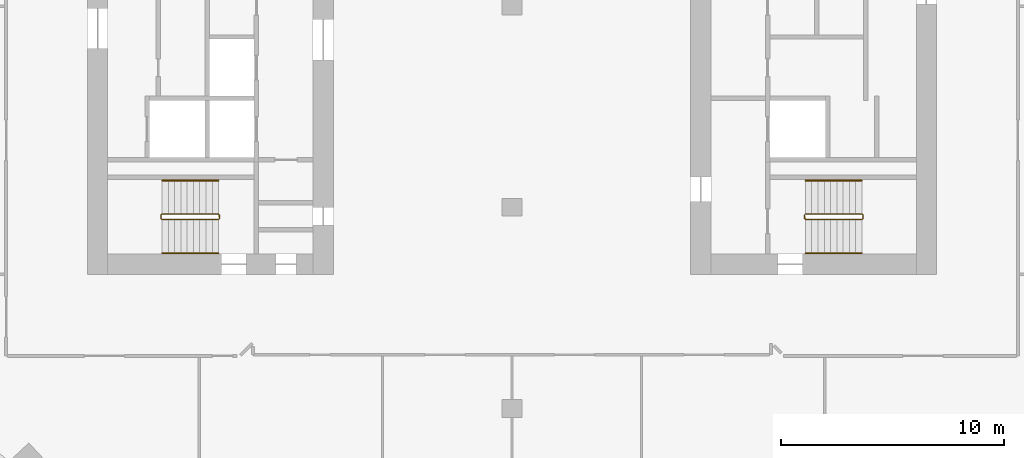
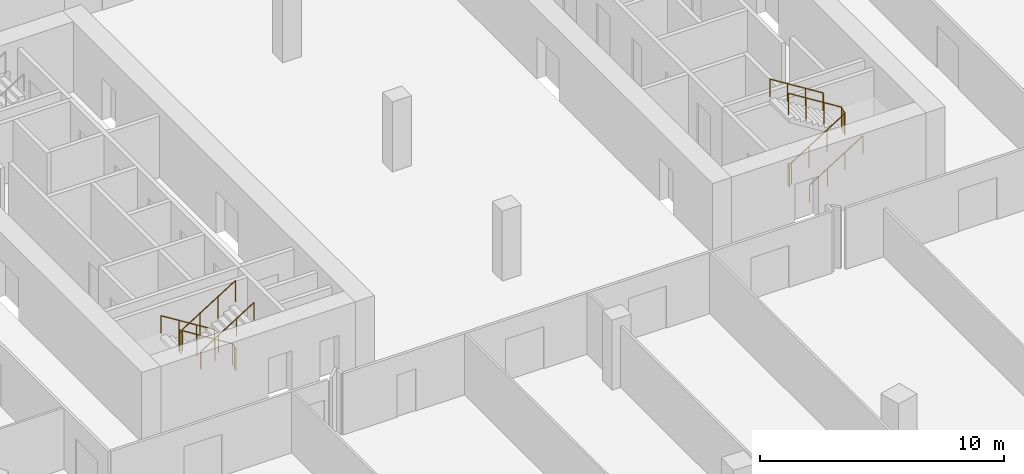
# One storey, part 24 of 26: 6 railings.
"""IFC4 building model written with IfcOpenShell, lengths in metres."""

from ifc_helpers import new_model, si_unit, direction, frame, origin, origin_2d, place, context, subcontext, project, spatial, circle, extrude, material, type_object, element, save


model = new_model("IFC4")

# Units and contexts
model_context = context("Model", 3, precision=1e-05, world=origin(), true_north=direction((0.0, 1.0)))
body_context = subcontext(model_context, "Body", "Model", "MODEL_VIEW")
ifc_project = project(units=[si_unit("LENGTHUNIT", "METRE"), si_unit("AREAUNIT", "SQUARE_METRE"), si_unit("VOLUMEUNIT", "CUBIC_METRE"), si_unit("PLANEANGLEUNIT", "RADIAN"), si_unit("MASSUNIT", "GRAM", prefix="KILO")], contexts=[model_context])

# Site, building, storey
site_placement = place(None, origin())
site = spatial("IfcSite", under=ifc_project, at=site_placement, CompositionType="ELEMENT")
building_placement = place(site_placement, origin())
building = spatial("IfcBuilding", under=site, at=building_placement, Name="Orlundy Tower", CompositionType="ELEMENT")
storey_placement = place(building_placement, frame((0.0, 0.0, 214.0)))
storey = spatial("IfcBuildingStorey", under=building, at=storey_placement, Name="L56", CompositionType="ELEMENT", Elevation=214.0)

# Railings
ifc_material_1 = material(Name="Steel balustrade", Category="steel")
railing_type_1 = type_object("IfcRailingType", Name="Stair Guard 1100", PredefinedType="GUARDRAIL", material=ifc_material_1)
railing_1_placement = place(storey_placement, frame((-13.090087890625, -9.35009765625, 0.0)))
element("IfcRailing", 1, at=railing_1_placement, inside=storey, type_object=railing_type_1, Name="L56 ST-W2 stair guard 1", PredefinedType="GUARDRAIL", context=body_context, shape_type="SweptSolid", body=[
    extrude(circle(Radius=0.02392578125, at=origin_2d()), frame((0.0, 0.0, 1.076171875), z_axis=(0.0, -1.0, 0.0), x_axis=(1.0, 0.0, 0.0)), (0.0, 0.0, 1.0), 0.14990234375),
    extrude(circle(Radius=0.02392578125, at=origin_2d()), frame((0.0, -0.14990234375, 1.076171875), z_axis=(-0.18420542264, 0.739530593833, 0.647427882513), x_axis=(-0.970351222016, -0.241699205484, 0.0)), (0.0, 0.0, 1.0), 0.270263671875),
    extrude(circle(Radius=0.02392578125, at=origin_2d()), frame((-0.0498046875, 0.050048828125, 1.2509765625), z_axis=(-0.848007534815, 0.0, 0.529984170421), x_axis=(0.0, -1.0, 0.0)), (0.0, 0.0, 1.0), 2.9716796875),
    extrude(circle(Radius=0.02392578125, at=origin_2d()), frame((-2.56982421875, 0.050048828125, 2.826171875), z_axis=(-0.707106781187, -0.707106781187, 0.0), x_axis=(0.707106781187, -0.707106781187, 0.0)), (0.0, 0.0, 1.0), 0.07080078125),
    extrude(circle(Radius=0.02392578125, at=origin_2d()), frame((-2.619873046875, 0.0, 2.826171875), z_axis=(0.0, -1.0, 0.0), x_axis=(1.0, 0.0, 0.0)), (0.0, 0.0, 1.0), 0.14990234375),
    extrude(circle(Radius=0.02392578125, at=origin_2d()), frame((-2.619873046875, -0.14990234375, 2.826171875), z_axis=(0.265065253269, -0.265065253269, 0.927081885822), x_axis=(0.707106781187, 0.707106781187, 0.0)), (0.0, 0.0, 1.0), 0.188720703125),
    extrude(circle(Radius=0.02392578125, at=origin_2d()), frame((-2.56982421875, -0.199951171875, 3.0009765625), z_axis=(0.848007534815, 0.0, 0.529984170421), x_axis=(0.0, 1.0, 0.0)), (0.0, 0.0, 1.0), 2.9716796875),
    extrude(circle(Radius=0.02099609375, at=origin_2d()), origin(), (0.0, 0.0, 1.0), 1.052001953125),
    extrude(circle(Radius=0.02099609375, at=origin_2d()), frame((0.0, -0.14990234375, 0.0)), (0.0, 0.0, 1.0), 1.052001953125),
    extrude(circle(Radius=0.02099609375, at=origin_2d()), frame((-0.0498046875, 0.050048828125, 0.175048828125)), (0.0, 0.0, 1.0), 1.052001953125),
    extrude(circle(Radius=0.02099609375, at=origin_2d()), frame((-0.889892578125, 0.050048828125, 0.699951171875)), (0.0, 0.0, 1.0), 1.052001953125),
    extrude(circle(Radius=0.02099609375, at=origin_2d()), frame((-1.729736328125, 0.050048828125, 1.22509765625)), (0.0, 0.0, 1.0), 1.052001953125),
    extrude(circle(Radius=0.02099609375, at=origin_2d()), frame((-2.56982421875, 0.050048828125, 1.75)), (0.0, 0.0, 1.0), 1.052001953125),
    extrude(circle(Radius=0.02099609375, at=origin_2d()), frame((-2.619873046875, 0.0, 1.75)), (0.0, 0.0, 1.0), 1.052001953125),
    extrude(circle(Radius=0.02099609375, at=origin_2d()), frame((-2.619873046875, -0.14990234375, 1.75)), (0.0, 0.0, 1.0), 1.052001953125),
    extrude(circle(Radius=0.02099609375, at=origin_2d()), frame((-2.56982421875, -0.199951171875, 1.925048828125)), (0.0, 0.0, 1.0), 1.052001953125),
    extrude(circle(Radius=0.02099609375, at=origin_2d()), frame((-1.729736328125, -0.199951171875, 2.449951171875)), (0.0, 0.0, 1.0), 1.052001953125),
    extrude(circle(Radius=0.02099609375, at=origin_2d()), frame((-0.889892578125, -0.199951171875, 2.97509765625)), (0.0, 0.0, 1.0), 1.052001953125),
    extrude(circle(Radius=0.02099609375, at=origin_2d()), frame((-0.0498046875, -0.199951171875, 3.5)), (0.0, 0.0, 1.0), 1.052001953125),
])
railing_2_placement = place(storey_placement, frame((13.090087890625, -9.5, 0.0)))
element("IfcRailing", 2, at=railing_2_placement, inside=storey, type_object=railing_type_1, Name="L56 ST-E1 stair guard 1", PredefinedType="GUARDRAIL", context=body_context, shape_type="SweptSolid", body=[
    extrude(circle(Radius=0.02392578125, at=origin_2d()), frame((0.0, 0.0, 1.076171875), z_axis=(0.0, 1.0, 0.0), x_axis=(-1.0, 0.0, 0.0)), (0.0, 0.0, 1.0), 0.14990234375),
    extrude(circle(Radius=0.02392578125, at=origin_2d()), frame((0.0, 0.14990234375, 1.076171875), z_axis=(0.18420542264, -0.739530593833, 0.647427882513), x_axis=(0.970351222016, 0.241699205484, 0.0)), (0.0, 0.0, 1.0), 0.270263671875),
    extrude(circle(Radius=0.02392578125, at=origin_2d()), frame((0.0498046875, -0.050048828125, 1.2509765625), z_axis=(0.848007534815, 0.0, 0.529984170421), x_axis=(0.0, 1.0, 0.0)), (0.0, 0.0, 1.0), 2.9716796875),
    extrude(circle(Radius=0.02392578125, at=origin_2d()), frame((2.56982421875, -0.050048828125, 2.826171875), z_axis=(0.707106781187, 0.707106781187, 0.0), x_axis=(-0.707106781187, 0.707106781187, 0.0)), (0.0, 0.0, 1.0), 0.07080078125),
    extrude(circle(Radius=0.02392578125, at=origin_2d()), frame((2.619873046875, 0.0, 2.826171875), z_axis=(0.0, 1.0, 0.0), x_axis=(-1.0, 0.0, 0.0)), (0.0, 0.0, 1.0), 0.14990234375),
    extrude(circle(Radius=0.02392578125, at=origin_2d()), frame((2.619873046875, 0.14990234375, 2.826171875), z_axis=(-0.265065253269, 0.265065253269, 0.927081885822), x_axis=(-0.707106781187, -0.707106781187, 0.0)), (0.0, 0.0, 1.0), 0.188720703125),
    extrude(circle(Radius=0.02392578125, at=origin_2d()), frame((2.56982421875, 0.199951171875, 3.0009765625), z_axis=(-0.848007534815, 0.0, 0.529984170421), x_axis=(0.0, -1.0, 0.0)), (0.0, 0.0, 1.0), 2.9716796875),
    extrude(circle(Radius=0.02099609375, at=origin_2d()), origin(), (0.0, 0.0, 1.0), 1.052001953125),
    extrude(circle(Radius=0.02099609375, at=origin_2d()), frame((0.0, 0.14990234375, 0.0)), (0.0, 0.0, 1.0), 1.052001953125),
    extrude(circle(Radius=0.02099609375, at=origin_2d()), frame((0.0498046875, -0.050048828125, 0.175048828125)), (0.0, 0.0, 1.0), 1.052001953125),
    extrude(circle(Radius=0.02099609375, at=origin_2d()), frame((0.889892578125, -0.050048828125, 0.699951171875)), (0.0, 0.0, 1.0), 1.052001953125),
    extrude(circle(Radius=0.02099609375, at=origin_2d()), frame((1.729736328125, -0.050048828125, 1.22509765625)), (0.0, 0.0, 1.0), 1.052001953125),
    extrude(circle(Radius=0.02099609375, at=origin_2d()), frame((2.56982421875, -0.050048828125, 1.75)), (0.0, 0.0, 1.0), 1.052001953125),
    extrude(circle(Radius=0.02099609375, at=origin_2d()), frame((2.619873046875, 0.0, 1.75)), (0.0, 0.0, 1.0), 1.052001953125),
    extrude(circle(Radius=0.02099609375, at=origin_2d()), frame((2.619873046875, 0.14990234375, 1.75)), (0.0, 0.0, 1.0), 1.052001953125),
    extrude(circle(Radius=0.02099609375, at=origin_2d()), frame((2.56982421875, 0.199951171875, 1.925048828125)), (0.0, 0.0, 1.0), 1.052001953125),
    extrude(circle(Radius=0.02099609375, at=origin_2d()), frame((1.729736328125, 0.199951171875, 2.449951171875)), (0.0, 0.0, 1.0), 1.052001953125),
    extrude(circle(Radius=0.02099609375, at=origin_2d()), frame((0.889892578125, 0.199951171875, 2.97509765625)), (0.0, 0.0, 1.0), 1.052001953125),
    extrude(circle(Radius=0.02099609375, at=origin_2d()), frame((0.0498046875, 0.199951171875, 3.5)), (0.0, 0.0, 1.0), 1.052001953125),
])
ifc_material_2 = material(Name="Steel handrail", Category="steel")
railing_type_2 = type_object("IfcRailingType", Name="Stair Handrail 900", PredefinedType="HANDRAIL", material=ifc_material_2)
railing_3_placement = place(storey_placement, frame((-13.139892578125, -7.800048828125, 0.175048828125)))
element("IfcRailing", 3, at=railing_3_placement, inside=storey, type_object=railing_type_2, Name="L56 ST-W2 stair handrail 1", PredefinedType="HANDRAIL", context=body_context, shape_type="SweptSolid", body=[
    extrude(circle(Radius=0.02392578125, at=origin_2d()), frame((0.0, 0.0, 0.8759765625), z_axis=(-0.848007534815, 0.0, 0.529984170421), x_axis=(0.0, -1.0, 0.0)), (0.0, 0.0, 1.0), 2.9716796875),
    extrude(circle(Radius=0.02099609375, at=origin_2d()), origin(), (0.0, 0.0, 1.0), 0.851806640625),
    extrude(circle(Radius=0.02099609375, at=origin_2d()), frame((-0.840087890625, 0.0, 0.52490234375)), (0.0, 0.0, 1.0), 0.851806640625),
    extrude(circle(Radius=0.02099609375, at=origin_2d()), frame((-1.679931640625, 0.0, 1.050048828125)), (0.0, 0.0, 1.0), 0.851806640625),
    extrude(circle(Radius=0.02099609375, at=origin_2d()), frame((-2.52001953125, 0.0, 1.574951171875)), (0.0, 0.0, 1.0), 0.851806640625),
])
for number, where, name in (
    (4, (-15.659912109375, -11.050048828125, 1.925048828125), "L56 ST-W2 stair handrail 2"),
    (5, (13.139892578125, -11.050048828125, 0.175048828125), "L56 ST-E1 stair handrail 1"),
):
    element("IfcRailing", number, at=place(storey_placement, frame(where)), inside=storey, type_object=railing_type_2, Name=name, PredefinedType="HANDRAIL", context=body_context, shape_type="SweptSolid", body=[
        extrude(circle(Radius=0.02392578125, at=origin_2d()), frame((0.0, 0.0, 0.8759765625), z_axis=(0.848007534815, 0.0, 0.529984170421), x_axis=(0.0, 1.0, 0.0)), (0.0, 0.0, 1.0), 2.9716796875),
        extrude(circle(Radius=0.02099609375, at=origin_2d()), origin(), (0.0, 0.0, 1.0), 0.851806640625),
        extrude(circle(Radius=0.02099609375, at=origin_2d()), frame((0.840087890625, 0.0, 0.52490234375)), (0.0, 0.0, 1.0), 0.851806640625),
        extrude(circle(Radius=0.02099609375, at=origin_2d()), frame((1.679931640625, 0.0, 1.050048828125)), (0.0, 0.0, 1.0), 0.851806640625),
        extrude(circle(Radius=0.02099609375, at=origin_2d()), frame((2.52001953125, 0.0, 1.574951171875)), (0.0, 0.0, 1.0), 0.851806640625),
    ])
railing_4_placement = place(storey_placement, frame((15.659912109375, -7.800048828125, 1.925048828125)))
element("IfcRailing", 6, at=railing_4_placement, inside=storey, type_object=railing_type_2, Name="L56 ST-E1 stair handrail 2", PredefinedType="HANDRAIL", context=body_context, shape_type="SweptSolid", body=[
    extrude(circle(Radius=0.02392578125, at=origin_2d()), frame((0.0, 0.0, 0.8759765625), z_axis=(-0.848007534815, 0.0, 0.529984170421), x_axis=(0.0, -1.0, 0.0)), (0.0, 0.0, 1.0), 2.9716796875),
    extrude(circle(Radius=0.02099609375, at=origin_2d()), origin(), (0.0, 0.0, 1.0), 0.851806640625),
    extrude(circle(Radius=0.02099609375, at=origin_2d()), frame((-0.840087890625, 0.0, 0.52490234375)), (0.0, 0.0, 1.0), 0.851806640625),
    extrude(circle(Radius=0.02099609375, at=origin_2d()), frame((-1.679931640625, 0.0, 1.050048828125)), (0.0, 0.0, 1.0), 0.851806640625),
    extrude(circle(Radius=0.02099609375, at=origin_2d()), frame((-2.52001953125, 0.0, 1.574951171875)), (0.0, 0.0, 1.0), 0.851806640625),
])

save(model, "model.ifc")
